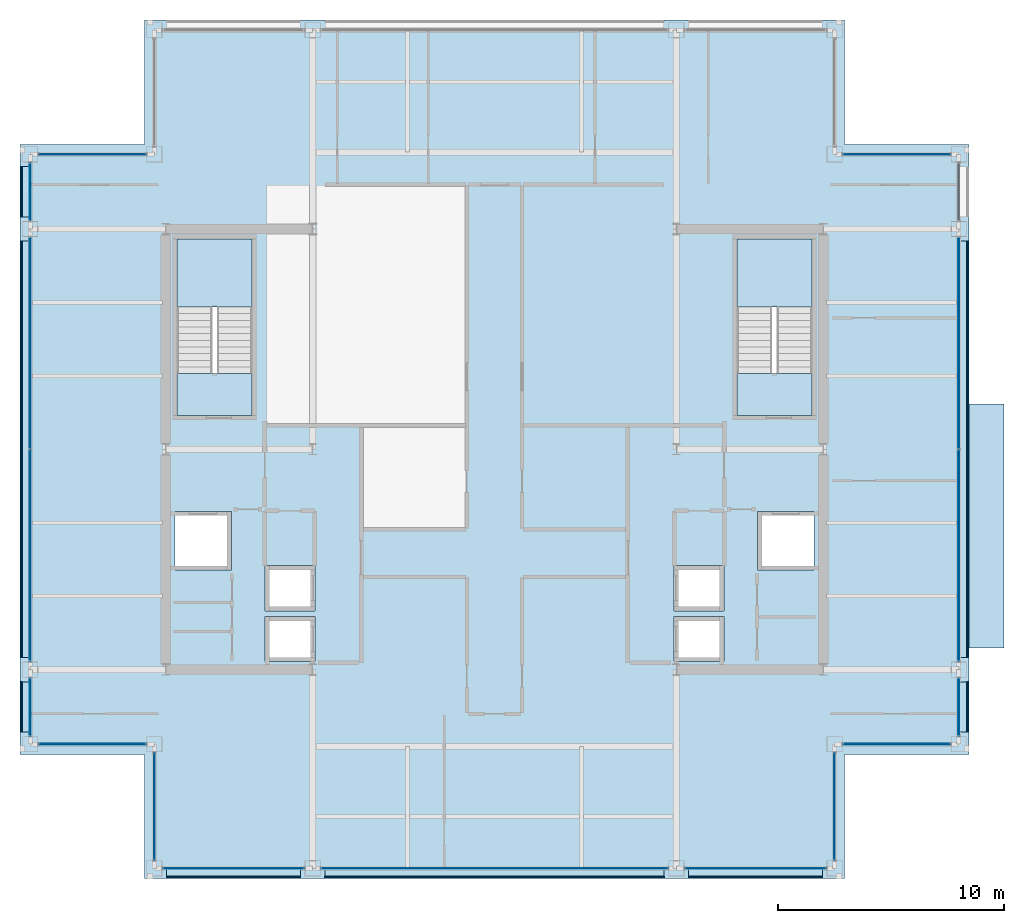
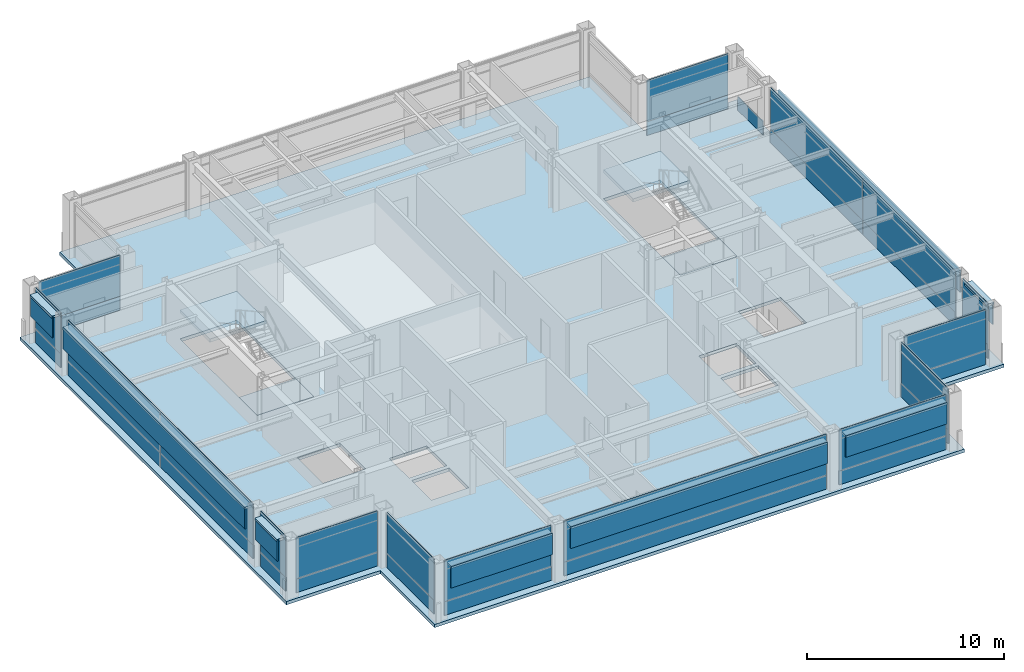
# One storey, part 21 of 26: 49 plates, 6 slabs, 17 elements without a shape of their own.
"""IFC4 building model written with IfcOpenShell, lengths in metres."""

from ifc_helpers import new_model, si_unit, direction, frame, origin, origin_2d, place, context, subcontext, project, spatial, polyline, rectangle, outline, extrude, material, layer, layer_set, type_object, element, aggregate, save


model = new_model("IFC4")

# Units and contexts
model_context = context("Model", 3, precision=1e-05, world=origin(), true_north=direction((0.0, 1.0)))
body_context = subcontext(model_context, "Body", "Model", "MODEL_VIEW")
ifc_project = project(units=[si_unit("LENGTHUNIT", "METRE"), si_unit("AREAUNIT", "SQUARE_METRE"), si_unit("VOLUMEUNIT", "CUBIC_METRE"), si_unit("PLANEANGLEUNIT", "RADIAN"), si_unit("MASSUNIT", "GRAM", prefix="KILO")], contexts=[model_context])

# Site, building, storey
site_placement = place(None, origin())
site = spatial("IfcSite", under=ifc_project, at=site_placement, CompositionType="ELEMENT")
building_placement = place(site_placement, origin())
building = spatial("IfcBuilding", under=site, at=building_placement, Name="Brelmoor Portico Tower", CompositionType="ELEMENT")
storey_placement = place(building_placement, frame((0.0, 0.0, 205.5)))
storey = spatial("IfcBuildingStorey", under=building, at=storey_placement, Name="L54", CompositionType="ELEMENT", Elevation=205.5)

# Curtain wall, plate
ifc_material_1 = material(Name="Anodised Aluminium Alloy 6063-T6", Category="aluminium")
ifc_layer_1 = layer(ifc_material_1, 0.179931640625)
ifc_layer_set_1 = layer_set([ifc_layer_1], Name="Anodised Aluminium Alloy 6063-T6")
curtain_wall_type_1 = type_object("IfcCurtainWallType", Name="CW-TOWER-Z3", PredefinedType="NOTDEFINED", material=ifc_layer_set_1)
curtain_wall_1_placement = place(storey_placement, origin())
curtain_wall_1 = element("IfcCurtainWall", 1, at=curtain_wall_1_placement, inside=storey, type_object=curtain_wall_type_1, Name="L54 Curtain Wall CW-L54-01-1", PredefinedType="NOTDEFINED")
ifc_material_2 = material(Name="Double-Silver Low-E Insulated Glazing", Category="glass")
ifc_layer_2 = layer(ifc_material_2, 0.035888671875)
ifc_layer_set_2 = layer_set([ifc_layer_2], Name="Double-Silver Low-E Insulated Glazing")
plate_type_1 = type_object("IfcPlateType", Name="PT-CW-GLASS", PredefinedType="CURTAIN_PANEL", material=ifc_layer_set_2)
plate_1_placement = place(storey_placement, frame((-11.550048828125, -18.550048828125, 0.85009765625), z_axis=(0.0, 0.0, 1.0), x_axis=(1.0, 0.0, 0.0)))
plate_1 = element("IfcPlate", 2, at=plate_1_placement, type_object=plate_type_1, Name="CW-L54-01-1 Vision Glass Panel 00", PredefinedType="CURTAIN_PANEL", context=body_context, shape_type="SweptSolid", body=[
    extrude(rectangle(XDim=6.25, YDim=0.035888671875, at=origin_2d()), origin(), (0.0, 0.0, 1.0), 2.550048828125),
])

curtain_wall_2_placement = place(storey_placement, origin())
curtain_wall_2 = element("IfcCurtainWall", 3, at=curtain_wall_2_placement, inside=storey, type_object=curtain_wall_type_1, Name="L54 Curtain Wall CW-L54-01-2", PredefinedType="NOTDEFINED")
plate_2_placement = place(storey_placement, frame((0.0, -18.550048828125, 0.85009765625), z_axis=(0.0, 0.0, 1.0), x_axis=(1.0, 0.0, 0.0)))
plate_2 = element("IfcPlate", 4, at=plate_2_placement, type_object=plate_type_1, Name="CW-L54-01-2 Vision Glass Panel 00", PredefinedType="CURTAIN_PANEL", context=body_context, shape_type="SweptSolid", body=[
    extrude(rectangle(XDim=15.35009765625, YDim=0.035888671875, at=origin_2d()), origin(), (0.0, 0.0, 1.0), 2.550048828125),
])

curtain_wall_3_placement = place(storey_placement, origin())
curtain_wall_3 = element("IfcCurtainWall", 5, at=curtain_wall_3_placement, inside=storey, type_object=curtain_wall_type_1, Name="L54 Curtain Wall CW-L54-01-3", PredefinedType="NOTDEFINED")
plate_3_placement = place(storey_placement, frame((11.550048828125, -18.550048828125, 0.85009765625), z_axis=(0.0, 0.0, 1.0), x_axis=(1.0, 0.0, 0.0)))
plate_3 = element("IfcPlate", 6, at=plate_3_placement, type_object=plate_type_1, Name="CW-L54-01-3 Vision Glass Panel 00", PredefinedType="CURTAIN_PANEL", context=body_context, shape_type="SweptSolid", body=[
    extrude(rectangle(XDim=6.25, YDim=0.035888671875, at=origin_2d()), origin(), (0.0, 0.0, 1.0), 2.550048828125),
])

curtain_wall_4_placement = place(storey_placement, origin())
curtain_wall_4 = element("IfcCurtainWall", 7, at=curtain_wall_4_placement, inside=storey, type_object=curtain_wall_type_1, Name="L54 Curtain Wall CW-L54-03-1", PredefinedType="NOTDEFINED")
plate_4_placement = place(storey_placement, frame((-20.550048828125, -11.39990234375, 0.85009765625), z_axis=(0.0, 0.0, 1.0), x_axis=(0.0, 1.0, 0.0)))
plate_4 = element("IfcPlate", 8, at=plate_4_placement, type_object=plate_type_1, Name="CW-L54-03-1 Vision Glass Panel 00", PredefinedType="CURTAIN_PANEL", context=body_context, shape_type="SweptSolid", body=[
    extrude(rectangle(XDim=2.550048828125, YDim=0.035888671875, at=origin_2d()), origin(), (0.0, 0.0, 1.0), 2.550048828125),
])

# Curtain wall, plates
curtain_wall_5_placement = place(storey_placement, origin())
curtain_wall_5 = element("IfcCurtainWall", 9, at=curtain_wall_5_placement, inside=storey, type_object=curtain_wall_type_1, Name="L54 Curtain Wall CW-L54-03-2", PredefinedType="NOTDEFINED")
plate_5_placement = place(storey_placement, frame((-20.550048828125, -4.695068359375, 0.85009765625), z_axis=(0.0, 0.0, 1.0), x_axis=(0.0, 1.0, 0.0)))
plate_5 = element("IfcPlate", 10, at=plate_5_placement, type_object=plate_type_1, Name="CW-L54-03-2 Vision Glass Panel 00", PredefinedType="CURTAIN_PANEL", context=body_context, shape_type="SweptSolid", body=[
    extrude(rectangle(XDim=9.360107421875, YDim=0.035888671875, at=origin_2d()), origin(), (0.0, 0.0, 1.0), 2.550048828125),
])
plate_6_placement = place(storey_placement, frame((-20.550048828125, 4.695068359375, 0.85009765625), z_axis=(0.0, 0.0, 1.0), x_axis=(0.0, 1.0, 0.0)))
plate_6 = element("IfcPlate", 11, at=plate_6_placement, type_object=plate_type_1, Name="CW-L54-03-2 Vision Glass Panel 01", PredefinedType="CURTAIN_PANEL", context=body_context, shape_type="SweptSolid", body=[
    extrude(rectangle(XDim=9.360107421875, YDim=0.035888671875, at=origin_2d()), origin(), (0.0, 0.0, 1.0), 2.550048828125),
])

# Curtain wall, plate
curtain_wall_6_placement = place(storey_placement, origin())
curtain_wall_6 = element("IfcCurtainWall", 12, at=curtain_wall_6_placement, inside=storey, type_object=curtain_wall_type_1, Name="L54 Curtain Wall CW-L54-03-3", PredefinedType="NOTDEFINED")
plate_7_placement = place(storey_placement, frame((-20.550048828125, 11.39990234375, 0.85009765625), z_axis=(0.0, 0.0, 1.0), x_axis=(0.0, 1.0, 0.0)))
plate_7 = element("IfcPlate", 13, at=plate_7_placement, type_object=plate_type_1, Name="CW-L54-03-3 Vision Glass Panel 00", PredefinedType="CURTAIN_PANEL", context=body_context, shape_type="SweptSolid", body=[
    extrude(rectangle(XDim=2.550048828125, YDim=0.035888671875, at=origin_2d()), origin(), (0.0, 0.0, 1.0), 2.550048828125),
])

curtain_wall_7_placement = place(storey_placement, origin())
curtain_wall_7 = element("IfcCurtainWall", 14, at=curtain_wall_7_placement, inside=storey, type_object=curtain_wall_type_1, Name="L54 Curtain Wall CW-L54-04-1", PredefinedType="NOTDEFINED")
plate_8_placement = place(storey_placement, frame((20.550048828125, -11.39990234375, 0.85009765625), z_axis=(0.0, 0.0, 1.0), x_axis=(0.0, 1.0, 0.0)))
plate_8 = element("IfcPlate", 15, at=plate_8_placement, type_object=plate_type_1, Name="CW-L54-04-1 Vision Glass Panel 00", PredefinedType="CURTAIN_PANEL", context=body_context, shape_type="SweptSolid", body=[
    extrude(rectangle(XDim=2.550048828125, YDim=0.035888671875, at=origin_2d()), origin(), (0.0, 0.0, 1.0), 2.550048828125),
])

# Curtain wall, plates
curtain_wall_8_placement = place(storey_placement, origin())
curtain_wall_8 = element("IfcCurtainWall", 16, at=curtain_wall_8_placement, inside=storey, type_object=curtain_wall_type_1, Name="L54 Curtain Wall CW-L54-04-2", PredefinedType="NOTDEFINED")
plate_9_placement = place(storey_placement, frame((20.550048828125, -4.695068359375, 0.85009765625), z_axis=(0.0, 0.0, 1.0), x_axis=(0.0, 1.0, 0.0)))
plate_9 = element("IfcPlate", 17, at=plate_9_placement, type_object=plate_type_1, Name="CW-L54-04-2 Vision Glass Panel 00", PredefinedType="CURTAIN_PANEL", context=body_context, shape_type="SweptSolid", body=[
    extrude(rectangle(XDim=9.360107421875, YDim=0.035888671875, at=origin_2d()), origin(), (0.0, 0.0, 1.0), 2.550048828125),
])
plate_10_placement = place(storey_placement, frame((20.550048828125, 4.695068359375, 0.85009765625), z_axis=(0.0, 0.0, 1.0), x_axis=(0.0, 1.0, 0.0)))
plate_10 = element("IfcPlate", 18, at=plate_10_placement, type_object=plate_type_1, Name="CW-L54-04-2 Vision Glass Panel 01", PredefinedType="CURTAIN_PANEL", context=body_context, shape_type="SweptSolid", body=[
    extrude(rectangle(XDim=9.360107421875, YDim=0.035888671875, at=origin_2d()), origin(), (0.0, 0.0, 1.0), 2.550048828125),
])

# Curtain wall, plate
ifc_layer_3 = layer(ifc_material_1, 0.179931640625)
ifc_layer_set_3 = layer_set([ifc_layer_3], Name="Anodised Aluminium Alloy 6063-T6")
curtain_wall_type_2 = type_object("IfcCurtainWallType", Name="CW-NOTCH-CHAMFER", PredefinedType="NOTDEFINED", material=ifc_layer_set_3)
curtain_wall_9_placement = place(storey_placement, origin())
curtain_wall_9 = element("IfcCurtainWall", 19, at=curtain_wall_9_placement, inside=storey, type_object=curtain_wall_type_2, Name="L54 Curtain Wall CWN-L54-SWH", PredefinedType="NOTDEFINED")
plate_11_placement = place(storey_placement, frame((-17.800048828125, -13.050048828125, 0.85009765625), z_axis=(0.0, 0.0, 1.0), x_axis=(1.0, 0.0, 0.0)))
plate_11 = element("IfcPlate", 20, at=plate_11_placement, type_object=plate_type_1, Name="CWN-L54-SWH Vision Glass Panel 00", PredefinedType="CURTAIN_PANEL", context=body_context, shape_type="SweptSolid", body=[
    extrude(rectangle(XDim=4.75, YDim=0.035888671875, at=origin_2d()), origin(), (0.0, 0.0, 1.0), 2.550048828125),
])

curtain_wall_10_placement = place(storey_placement, origin())
curtain_wall_10 = element("IfcCurtainWall", 21, at=curtain_wall_10_placement, inside=storey, type_object=curtain_wall_type_2, Name="L54 Curtain Wall CWN-L54-SWV", PredefinedType="NOTDEFINED")
plate_12_placement = place(storey_placement, frame((-15.050048828125, -15.800048828125, 0.85009765625), z_axis=(0.0, 0.0, 1.0), x_axis=(0.0, 1.0, 0.0)))
plate_12 = element("IfcPlate", 22, at=plate_12_placement, type_object=plate_type_1, Name="CWN-L54-SWV Vision Glass Panel 00", PredefinedType="CURTAIN_PANEL", context=body_context, shape_type="SweptSolid", body=[
    extrude(rectangle(XDim=4.75, YDim=0.035888671875, at=origin_2d()), origin(), (0.0, 0.0, 1.0), 2.550048828125),
])

curtain_wall_11_placement = place(storey_placement, origin())
curtain_wall_11 = element("IfcCurtainWall", 23, at=curtain_wall_11_placement, inside=storey, type_object=curtain_wall_type_2, Name="L54 Curtain Wall CWN-L54-SEH", PredefinedType="NOTDEFINED")
plate_13_placement = place(storey_placement, frame((17.800048828125, -13.050048828125, 0.85009765625), z_axis=(0.0, 0.0, 1.0), x_axis=(1.0, 0.0, 0.0)))
plate_13 = element("IfcPlate", 24, at=plate_13_placement, type_object=plate_type_1, Name="CWN-L54-SEH Vision Glass Panel 00", PredefinedType="CURTAIN_PANEL", context=body_context, shape_type="SweptSolid", body=[
    extrude(rectangle(XDim=4.75, YDim=0.035888671875, at=origin_2d()), origin(), (0.0, 0.0, 1.0), 2.550048828125),
])

curtain_wall_12_placement = place(storey_placement, origin())
curtain_wall_12 = element("IfcCurtainWall", 25, at=curtain_wall_12_placement, inside=storey, type_object=curtain_wall_type_2, Name="L54 Curtain Wall CWN-L54-SEV", PredefinedType="NOTDEFINED")
plate_14_placement = place(storey_placement, frame((15.050048828125, -15.800048828125, 0.85009765625), z_axis=(0.0, 0.0, 1.0), x_axis=(0.0, 1.0, 0.0)))
plate_14 = element("IfcPlate", 26, at=plate_14_placement, type_object=plate_type_1, Name="CWN-L54-SEV Vision Glass Panel 00", PredefinedType="CURTAIN_PANEL", context=body_context, shape_type="SweptSolid", body=[
    extrude(rectangle(XDim=4.75, YDim=0.035888671875, at=origin_2d()), origin(), (0.0, 0.0, 1.0), 2.550048828125),
])

curtain_wall_13_placement = place(storey_placement, origin())
curtain_wall_13 = element("IfcCurtainWall", 27, at=curtain_wall_13_placement, inside=storey, type_object=curtain_wall_type_2, Name="L54 Curtain Wall CWN-L54-NWH", PredefinedType="NOTDEFINED")
plate_15_placement = place(storey_placement, frame((-17.800048828125, 13.050048828125, 0.85009765625), z_axis=(0.0, 0.0, 1.0), x_axis=(1.0, 0.0, 0.0)))
plate_15 = element("IfcPlate", 28, at=plate_15_placement, type_object=plate_type_1, Name="CWN-L54-NWH Vision Glass Panel 00", PredefinedType="CURTAIN_PANEL", context=body_context, shape_type="SweptSolid", body=[
    extrude(rectangle(XDim=4.75, YDim=0.035888671875, at=origin_2d()), origin(), (0.0, 0.0, 1.0), 2.550048828125),
])

curtain_wall_14_placement = place(storey_placement, origin())
curtain_wall_14 = element("IfcCurtainWall", 29, at=curtain_wall_14_placement, inside=storey, type_object=curtain_wall_type_2, Name="L54 Curtain Wall CWN-L54-NEH", PredefinedType="NOTDEFINED")
plate_16_placement = place(storey_placement, frame((17.800048828125, 13.050048828125, 0.85009765625), z_axis=(0.0, 0.0, 1.0), x_axis=(1.0, 0.0, 0.0)))
plate_16 = element("IfcPlate", 30, at=plate_16_placement, type_object=plate_type_1, Name="CWN-L54-NEH Vision Glass Panel 00", PredefinedType="CURTAIN_PANEL", context=body_context, shape_type="SweptSolid", body=[
    extrude(rectangle(XDim=4.75, YDim=0.035888671875, at=origin_2d()), origin(), (0.0, 0.0, 1.0), 2.550048828125),
])

# Plate
ifc_material_3 = material(Name="Pale Champagne Anodised Aluminium Panel", Category="aluminium")
ifc_layer_4 = layer(ifc_material_3, 0.050048828125)
ifc_layer_set_4 = layer_set([ifc_layer_4], Name="Pale Champagne Anodised Aluminium Panel")
plate_type_2 = type_object("IfcPlateType", Name="PT-CW-SPANDREL", PredefinedType="SHEET", material=ifc_layer_set_4)
plate_17_placement = place(storey_placement, frame((-11.550048828125, -18.550048828125, 0.0), z_axis=(0.0, 0.0, 1.0), x_axis=(1.0, 0.0, 0.0)))
plate_17 = element("IfcPlate", 31, at=plate_17_placement, type_object=plate_type_2, Name="CW-L54-01-1 Spandrel Panel 00", PredefinedType="SHEET", context=body_context, shape_type="SweptSolid", body=[
    extrude(rectangle(XDim=6.25, YDim=0.050048828125, at=origin_2d()), origin(), (0.0, 0.0, 1.0), 0.85009765625),
])

aggregate(curtain_wall_1, [plate_17, plate_1])

plate_18_placement = place(storey_placement, frame((0.0, -18.550048828125, 0.0), z_axis=(0.0, 0.0, 1.0), x_axis=(1.0, 0.0, 0.0)))
plate_18 = element("IfcPlate", 32, at=plate_18_placement, type_object=plate_type_2, Name="CW-L54-01-2 Spandrel Panel 00", PredefinedType="SHEET", context=body_context, shape_type="SweptSolid", body=[
    extrude(rectangle(XDim=15.35009765625, YDim=0.050048828125, at=origin_2d()), origin(), (0.0, 0.0, 1.0), 0.85009765625),
])

aggregate(curtain_wall_2, [plate_18, plate_2])

plate_19_placement = place(storey_placement, frame((11.550048828125, -18.550048828125, 0.0), z_axis=(0.0, 0.0, 1.0), x_axis=(1.0, 0.0, 0.0)))
plate_19 = element("IfcPlate", 33, at=plate_19_placement, type_object=plate_type_2, Name="CW-L54-01-3 Spandrel Panel 00", PredefinedType="SHEET", context=body_context, shape_type="SweptSolid", body=[
    extrude(rectangle(XDim=6.25, YDim=0.050048828125, at=origin_2d()), origin(), (0.0, 0.0, 1.0), 0.85009765625),
])

aggregate(curtain_wall_3, [plate_19, plate_3])

plate_20_placement = place(storey_placement, frame((-20.550048828125, -11.39990234375, 0.0), z_axis=(0.0, 0.0, 1.0), x_axis=(0.0, 1.0, 0.0)))
plate_20 = element("IfcPlate", 34, at=plate_20_placement, type_object=plate_type_2, Name="CW-L54-03-1 Spandrel Panel 00", PredefinedType="SHEET", context=body_context, shape_type="SweptSolid", body=[
    extrude(rectangle(XDim=2.550048828125, YDim=0.050048828125, at=origin_2d()), origin(), (0.0, 0.0, 1.0), 0.85009765625),
])

aggregate(curtain_wall_4, [plate_20, plate_4])

plate_21_placement = place(storey_placement, frame((-20.550048828125, -4.695068359375, 0.0), z_axis=(0.0, 0.0, 1.0), x_axis=(0.0, 1.0, 0.0)))
plate_21 = element("IfcPlate", 35, at=plate_21_placement, type_object=plate_type_2, Name="CW-L54-03-2 Spandrel Panel 00", PredefinedType="SHEET", context=body_context, shape_type="SweptSolid", body=[
    extrude(rectangle(XDim=9.360107421875, YDim=0.050048828125, at=origin_2d()), origin(), (0.0, 0.0, 1.0), 0.85009765625),
])

plate_22_placement = place(storey_placement, frame((-20.550048828125, 4.695068359375, 0.0), z_axis=(0.0, 0.0, 1.0), x_axis=(0.0, 1.0, 0.0)))
plate_22 = element("IfcPlate", 36, at=plate_22_placement, type_object=plate_type_2, Name="CW-L54-03-2 Spandrel Panel 01", PredefinedType="SHEET", context=body_context, shape_type="SweptSolid", body=[
    extrude(rectangle(XDim=9.360107421875, YDim=0.050048828125, at=origin_2d()), origin(), (0.0, 0.0, 1.0), 0.85009765625),
])

aggregate(curtain_wall_5, [plate_21, plate_5, plate_22, plate_6])

plate_23_placement = place(storey_placement, frame((-20.550048828125, 11.39990234375, 0.0), z_axis=(0.0, 0.0, 1.0), x_axis=(0.0, 1.0, 0.0)))
plate_23 = element("IfcPlate", 37, at=plate_23_placement, type_object=plate_type_2, Name="CW-L54-03-3 Spandrel Panel 00", PredefinedType="SHEET", context=body_context, shape_type="SweptSolid", body=[
    extrude(rectangle(XDim=2.550048828125, YDim=0.050048828125, at=origin_2d()), origin(), (0.0, 0.0, 1.0), 0.85009765625),
])

aggregate(curtain_wall_6, [plate_23, plate_7])

plate_24_placement = place(storey_placement, frame((20.550048828125, -11.39990234375, 0.0), z_axis=(0.0, 0.0, 1.0), x_axis=(0.0, 1.0, 0.0)))
plate_24 = element("IfcPlate", 38, at=plate_24_placement, type_object=plate_type_2, Name="CW-L54-04-1 Spandrel Panel 00", PredefinedType="SHEET", context=body_context, shape_type="SweptSolid", body=[
    extrude(rectangle(XDim=2.550048828125, YDim=0.050048828125, at=origin_2d()), origin(), (0.0, 0.0, 1.0), 0.85009765625),
])

aggregate(curtain_wall_7, [plate_24, plate_8])

plate_25_placement = place(storey_placement, frame((20.550048828125, -4.695068359375, 0.0), z_axis=(0.0, 0.0, 1.0), x_axis=(0.0, 1.0, 0.0)))
plate_25 = element("IfcPlate", 39, at=plate_25_placement, type_object=plate_type_2, Name="CW-L54-04-2 Spandrel Panel 00", PredefinedType="SHEET", context=body_context, shape_type="SweptSolid", body=[
    extrude(rectangle(XDim=9.360107421875, YDim=0.050048828125, at=origin_2d()), origin(), (0.0, 0.0, 1.0), 0.85009765625),
])

plate_26_placement = place(storey_placement, frame((20.550048828125, 4.695068359375, 0.0), z_axis=(0.0, 0.0, 1.0), x_axis=(0.0, 1.0, 0.0)))
plate_26 = element("IfcPlate", 40, at=plate_26_placement, type_object=plate_type_2, Name="CW-L54-04-2 Spandrel Panel 01", PredefinedType="SHEET", context=body_context, shape_type="SweptSolid", body=[
    extrude(rectangle(XDim=9.360107421875, YDim=0.050048828125, at=origin_2d()), origin(), (0.0, 0.0, 1.0), 0.85009765625),
])

aggregate(curtain_wall_8, [plate_25, plate_9, plate_26, plate_10])

# Curtain wall, plate
curtain_wall_15_placement = place(storey_placement, origin())
curtain_wall_15 = element("IfcCurtainWall", 41, at=curtain_wall_15_placement, inside=storey, type_object=curtain_wall_type_1, Name="L54 Curtain Wall CW-L54-04-3", PredefinedType="NOTDEFINED")
plate_27_placement = place(storey_placement, frame((20.550048828125, 11.39990234375, 0.0), z_axis=(0.0, 0.0, 1.0), x_axis=(0.0, 1.0, 0.0)))
plate_27 = element("IfcPlate", 42, at=plate_27_placement, type_object=plate_type_2, Name="CW-L54-04-3 Spandrel Panel 00", PredefinedType="SHEET", context=body_context, shape_type="SweptSolid", body=[
    extrude(rectangle(XDim=2.550048828125, YDim=0.050048828125, at=origin_2d()), origin(), (0.0, 0.0, 1.0), 0.85009765625),
])
aggregate(curtain_wall_15, [plate_27])

# Plate
plate_28_placement = place(storey_placement, frame((-17.800048828125, -13.050048828125, 0.0), z_axis=(0.0, 0.0, 1.0), x_axis=(1.0, 0.0, 0.0)))
plate_28 = element("IfcPlate", 43, at=plate_28_placement, type_object=plate_type_2, Name="CWN-L54-SWH Spandrel Panel 00", PredefinedType="SHEET", context=body_context, shape_type="SweptSolid", body=[
    extrude(rectangle(XDim=4.75, YDim=0.050048828125, at=origin_2d()), origin(), (0.0, 0.0, 1.0), 0.85009765625),
])

aggregate(curtain_wall_9, [plate_28, plate_11])

plate_29_placement = place(storey_placement, frame((-15.050048828125, -15.800048828125, 0.0), z_axis=(0.0, 0.0, 1.0), x_axis=(0.0, 1.0, 0.0)))
plate_29 = element("IfcPlate", 44, at=plate_29_placement, type_object=plate_type_2, Name="CWN-L54-SWV Spandrel Panel 00", PredefinedType="SHEET", context=body_context, shape_type="SweptSolid", body=[
    extrude(rectangle(XDim=4.75, YDim=0.050048828125, at=origin_2d()), origin(), (0.0, 0.0, 1.0), 0.85009765625),
])

aggregate(curtain_wall_10, [plate_29, plate_12])

plate_30_placement = place(storey_placement, frame((17.800048828125, -13.050048828125, 0.0), z_axis=(0.0, 0.0, 1.0), x_axis=(1.0, 0.0, 0.0)))
plate_30 = element("IfcPlate", 45, at=plate_30_placement, type_object=plate_type_2, Name="CWN-L54-SEH Spandrel Panel 00", PredefinedType="SHEET", context=body_context, shape_type="SweptSolid", body=[
    extrude(rectangle(XDim=4.75, YDim=0.050048828125, at=origin_2d()), origin(), (0.0, 0.0, 1.0), 0.85009765625),
])

aggregate(curtain_wall_11, [plate_30, plate_13])

plate_31_placement = place(storey_placement, frame((15.050048828125, -15.800048828125, 0.0), z_axis=(0.0, 0.0, 1.0), x_axis=(0.0, 1.0, 0.0)))
plate_31 = element("IfcPlate", 46, at=plate_31_placement, type_object=plate_type_2, Name="CWN-L54-SEV Spandrel Panel 00", PredefinedType="SHEET", context=body_context, shape_type="SweptSolid", body=[
    extrude(rectangle(XDim=4.75, YDim=0.050048828125, at=origin_2d()), origin(), (0.0, 0.0, 1.0), 0.85009765625),
])

aggregate(curtain_wall_12, [plate_31, plate_14])

plate_32_placement = place(storey_placement, frame((-17.800048828125, 13.050048828125, 0.0), z_axis=(0.0, 0.0, 1.0), x_axis=(1.0, 0.0, 0.0)))
plate_32 = element("IfcPlate", 47, at=plate_32_placement, type_object=plate_type_2, Name="CWN-L54-NWH Spandrel Panel 00", PredefinedType="SHEET", context=body_context, shape_type="SweptSolid", body=[
    extrude(rectangle(XDim=4.75, YDim=0.050048828125, at=origin_2d()), origin(), (0.0, 0.0, 1.0), 0.85009765625),
])

aggregate(curtain_wall_13, [plate_32, plate_15])

plate_33_placement = place(storey_placement, frame((17.800048828125, 13.050048828125, 0.0), z_axis=(0.0, 0.0, 1.0), x_axis=(1.0, 0.0, 0.0)))
plate_33 = element("IfcPlate", 48, at=plate_33_placement, type_object=plate_type_2, Name="CWN-L54-NEH Spandrel Panel 00", PredefinedType="SHEET", context=body_context, shape_type="SweptSolid", body=[
    extrude(rectangle(XDim=4.75, YDim=0.050048828125, at=origin_2d()), origin(), (0.0, 0.0, 1.0), 0.85009765625),
])

aggregate(curtain_wall_14, [plate_33, plate_16])

# Plates
ifc_material_4 = material(Name="Powder-Coated Aluminium Shuttered Jalousie Louvre", Category="aluminium")
ifc_layer_5 = layer(ifc_material_4, 0.06005859375)
ifc_layer_set_5 = layer_set([ifc_layer_5], Name="Powder-Coated Aluminium Shuttered Jalousie Louvre")
plate_type_3 = type_object("IfcPlateType", Name="PT-JALOUSIE-SHUTTER", PredefinedType="SHEET", material=ifc_layer_set_5)
plate_34_placement = place(storey_placement, frame((-11.550048828125, -18.929931640625, 1.8740234375), z_axis=(0.0, 0.0, 1.0), x_axis=(1.0, 0.0, 0.0)))
element("IfcPlate", 49, at=plate_34_placement, inside=storey, type_object=plate_type_3, Name="CW-L54-01-1 Perforated Jalousie Solar Screen", PredefinedType="SHEET", context=body_context, shape_type="SweptSolid", body=[
    extrude(rectangle(XDim=5.919921875, YDim=0.06494140625, at=origin_2d()), origin(), (0.0, 0.0, 1.0), 1.325927734375),
])
plate_35_placement = place(storey_placement, frame((0.0, -18.929931640625, 1.8740234375), z_axis=(0.0, 0.0, 1.0), x_axis=(1.0, 0.0, 0.0)))
element("IfcPlate", 50, at=plate_35_placement, inside=storey, type_object=plate_type_3, Name="CW-L54-01-2 Perforated Jalousie Solar Screen", PredefinedType="SHEET", context=body_context, shape_type="SweptSolid", body=[
    extrude(rectangle(XDim=15.02001953125, YDim=0.06494140625, at=origin_2d()), origin(), (0.0, 0.0, 1.0), 1.325927734375),
])
plate_36_placement = place(storey_placement, frame((11.550048828125, -18.929931640625, 1.8740234375), z_axis=(0.0, 0.0, 1.0), x_axis=(1.0, 0.0, 0.0)))
element("IfcPlate", 51, at=plate_36_placement, inside=storey, type_object=plate_type_3, Name="CW-L54-01-3 Perforated Jalousie Solar Screen", PredefinedType="SHEET", context=body_context, shape_type="SweptSolid", body=[
    extrude(rectangle(XDim=5.919921875, YDim=0.06494140625, at=origin_2d()), origin(), (0.0, 0.0, 1.0), 1.325927734375),
])
plate_37_placement = place(storey_placement, frame((-20.929931640625, -11.39990234375, 1.8740234375), z_axis=(0.0, 0.0, 1.0), x_axis=(0.0, 1.0, 0.0)))
element("IfcPlate", 52, at=plate_37_placement, inside=storey, type_object=plate_type_3, Name="CW-L54-03-1 Perforated Jalousie Solar Screen", PredefinedType="SHEET", context=body_context, shape_type="SweptSolid", body=[
    extrude(rectangle(XDim=2.219970703125, YDim=0.06494140625, at=origin_2d()), origin(), (0.0, 0.0, 1.0), 1.325927734375),
])
plate_38_placement = place(storey_placement, frame((-20.929931640625, 0.0, 1.8740234375), z_axis=(0.0, 0.0, 1.0), x_axis=(0.0, 1.0, 0.0)))
element("IfcPlate", 53, at=plate_38_placement, inside=storey, type_object=plate_type_3, Name="CW-L54-03-2 Perforated Jalousie Solar Screen", PredefinedType="SHEET", context=body_context, shape_type="SweptSolid", body=[
    extrude(rectangle(XDim=18.419921875, YDim=0.06494140625, at=origin_2d()), origin(), (0.0, 0.0, 1.0), 1.325927734375),
])
for number, where, z_axis, x_axis, name in (
    (54, (-20.929931640625, 11.39990234375, 1.8740234375), (0.0, 0.0, 1.0), (0.0, 1.0, 0.0), "CW-L54-03-3 Perforated Jalousie Solar Screen"),
    (55, (20.929931640625, -11.39990234375, 1.8740234375), (0.0, 0.0, 1.0), (0.0, 1.0, 0.0), "CW-L54-04-1 Perforated Jalousie Solar Screen"),
):
    element("IfcPlate", number, at=place(storey_placement, frame(where, z_axis=z_axis, x_axis=x_axis)), inside=storey, type_object=plate_type_3, Name=name, PredefinedType="SHEET", context=body_context, shape_type="SweptSolid", body=[
        extrude(rectangle(XDim=2.219970703125, YDim=0.06494140625, at=origin_2d()), origin(), (0.0, 0.0, 1.0), 1.325927734375),
    ])
plate_39_placement = place(storey_placement, frame((20.929931640625, 0.0, 1.8740234375), z_axis=(0.0, 0.0, 1.0), x_axis=(0.0, 1.0, 0.0)))
element("IfcPlate", 56, at=plate_39_placement, inside=storey, type_object=plate_type_3, Name="CW-L54-04-2 Perforated Jalousie Solar Screen", PredefinedType="SHEET", context=body_context, shape_type="SweptSolid", body=[
    extrude(rectangle(XDim=18.419921875, YDim=0.06494140625, at=origin_2d()), origin(), (0.0, 0.0, 1.0), 1.325927734375),
])
ifc_material_5 = material(Name="Pale Champagne Perforated Aluminium Solar Screen", Category="aluminium")
ifc_layer_6 = layer(ifc_material_5, 0.054931640625)
ifc_layer_set_6 = layer_set([ifc_layer_6], Name="Pale Champagne Perforated Aluminium Solar Screen")
plate_type_4 = type_object("IfcPlateType", Name="PT-SOLAR-LOUVRE", PredefinedType="SHEET", material=ifc_layer_set_6)
plate_40_placement = place(storey_placement, frame((-11.550048828125, -18.760009765625, 3.08984375), z_axis=(0.0, 0.0, 1.0), x_axis=(1.0, 0.0, 0.0)))
element("IfcPlate", 57, at=plate_40_placement, inside=storey, type_object=plate_type_4, Name="CW-L54-01-1 Caribbean Brise-Soleil Solar Screen", PredefinedType="SHEET", context=body_context, shape_type="SweptSolid", body=[
    extrude(rectangle(XDim=5.919921875, YDim=0.4599609375, at=origin_2d()), origin(), (0.0, 0.0, 1.0), 0.139892578125),
])
plate_41_placement = place(storey_placement, frame((0.0, -18.760009765625, 3.08984375), z_axis=(0.0, 0.0, 1.0), x_axis=(1.0, 0.0, 0.0)))
element("IfcPlate", 58, at=plate_41_placement, inside=storey, type_object=plate_type_4, Name="CW-L54-01-2 Caribbean Brise-Soleil Solar Screen", PredefinedType="SHEET", context=body_context, shape_type="SweptSolid", body=[
    extrude(rectangle(XDim=15.02001953125, YDim=0.4599609375, at=origin_2d()), origin(), (0.0, 0.0, 1.0), 0.139892578125),
])
plate_42_placement = place(storey_placement, frame((11.550048828125, -18.760009765625, 3.08984375), z_axis=(0.0, 0.0, 1.0), x_axis=(1.0, 0.0, 0.0)))
element("IfcPlate", 59, at=plate_42_placement, inside=storey, type_object=plate_type_4, Name="CW-L54-01-3 Caribbean Brise-Soleil Solar Screen", PredefinedType="SHEET", context=body_context, shape_type="SweptSolid", body=[
    extrude(rectangle(XDim=5.919921875, YDim=0.4599609375, at=origin_2d()), origin(), (0.0, 0.0, 1.0), 0.139892578125),
])
plate_43_placement = place(storey_placement, frame((-20.760009765625, -11.39990234375, 3.08984375), z_axis=(0.0, 0.0, 1.0), x_axis=(0.0, 1.0, 0.0)))
element("IfcPlate", 60, at=plate_43_placement, inside=storey, type_object=plate_type_4, Name="CW-L54-03-1 Caribbean Brise-Soleil Solar Screen", PredefinedType="SHEET", context=body_context, shape_type="SweptSolid", body=[
    extrude(rectangle(XDim=2.219970703125, YDim=0.4599609375, at=origin_2d()), origin(), (0.0, 0.0, 1.0), 0.139892578125),
])
plate_44_placement = place(storey_placement, frame((-20.760009765625, 0.0, 3.08984375), z_axis=(0.0, 0.0, 1.0), x_axis=(0.0, 1.0, 0.0)))
element("IfcPlate", 61, at=plate_44_placement, inside=storey, type_object=plate_type_4, Name="CW-L54-03-2 Caribbean Brise-Soleil Solar Screen", PredefinedType="SHEET", context=body_context, shape_type="SweptSolid", body=[
    extrude(rectangle(XDim=18.419921875, YDim=0.4599609375, at=origin_2d()), origin(), (0.0, 0.0, 1.0), 0.139892578125),
])
for number, where, z_axis, x_axis, name in (
    (62, (-20.760009765625, 11.39990234375, 3.08984375), (0.0, 0.0, 1.0), (0.0, 1.0, 0.0), "CW-L54-03-3 Caribbean Brise-Soleil Solar Screen"),
    (63, (20.760009765625, -11.39990234375, 3.08984375), (0.0, 0.0, 1.0), (0.0, 1.0, 0.0), "CW-L54-04-1 Caribbean Brise-Soleil Solar Screen"),
):
    element("IfcPlate", number, at=place(storey_placement, frame(where, z_axis=z_axis, x_axis=x_axis)), inside=storey, type_object=plate_type_4, Name=name, PredefinedType="SHEET", context=body_context, shape_type="SweptSolid", body=[
        extrude(rectangle(XDim=2.219970703125, YDim=0.4599609375, at=origin_2d()), origin(), (0.0, 0.0, 1.0), 0.139892578125),
    ])
plate_45_placement = place(storey_placement, frame((20.760009765625, 0.0, 3.08984375), z_axis=(0.0, 0.0, 1.0), x_axis=(0.0, 1.0, 0.0)))
element("IfcPlate", 64, at=plate_45_placement, inside=storey, type_object=plate_type_4, Name="CW-L54-04-2 Caribbean Brise-Soleil Solar Screen", PredefinedType="SHEET", context=body_context, shape_type="SweptSolid", body=[
    extrude(rectangle(XDim=18.419921875, YDim=0.4599609375, at=origin_2d()), origin(), (0.0, 0.0, 1.0), 0.139892578125),
])

# Slab
ifc_material_6 = material(Name="Concrete C40", Category="concrete")
ifc_layer_7 = layer(ifc_material_6, 0.199951171875)
ifc_layer_set_7 = layer_set([ifc_layer_7], Name="Concrete C40")
slab_type_1 = type_object("IfcSlabType", Name="SL-FLOOR-200", PredefinedType="FLOOR", material=ifc_layer_set_7)
slab_1_placement = place(storey_placement, frame((0.0, 0.0, -0.199951171875)))
element("IfcSlab", 65, at=slab_1_placement, inside=storey, type_object=slab_type_1, Name="L54 Main Structural Floor Slab", PredefinedType="FLOOR", context=body_context, shape_type="SweptSolid", body=[
    extrude(outline(polyline([(-15.5, -19.0), (15.5, -19.0), (15.5, -13.5), (21.0, -13.5), (21.0, 13.5), (15.5, 13.5), (15.5, 19.0), (-15.5, 19.0), (-15.5, 13.5), (-21.0, 13.5), (-21.0, -13.5), (-15.5, -13.5), (-15.5, -19.0)]), holes=[polyline([(-10.72998046875, 1.5), (-10.72998046875, 9.300048828125), (-14.050048828125, 9.300048828125), (-14.050048828125, 1.5), (-10.72998046875, 1.5)]), polyline([(14.050048828125, 1.5), (14.050048828125, 9.300048828125), (10.72998046875, 9.300048828125), (10.72998046875, 1.5), (14.050048828125, 1.5)]), polyline([(-10.14990234375, -9.39990234375), (-7.949951171875, -9.39990234375), (-7.949951171875, -7.39990234375), (-10.14990234375, -7.39990234375), (-10.14990234375, -9.39990234375)]), polyline([(-10.14990234375, -7.14990234375), (-7.949951171875, -7.14990234375), (-7.949951171875, -5.14990234375), (-10.14990234375, -5.14990234375), (-10.14990234375, -7.14990234375)]), polyline([(7.949951171875, -9.39990234375), (10.14990234375, -9.39990234375), (10.14990234375, -7.39990234375), (7.949951171875, -7.39990234375), (7.949951171875, -9.39990234375)]), polyline([(7.949951171875, -7.14990234375), (10.14990234375, -7.14990234375), (10.14990234375, -5.14990234375), (7.949951171875, -5.14990234375), (7.949951171875, -7.14990234375)]), polyline([(-14.14990234375, -5.35009765625), (-11.64990234375, -5.35009765625), (-11.64990234375, -2.75), (-14.14990234375, -2.75), (-14.14990234375, -5.35009765625)]), polyline([(11.64990234375, -5.35009765625), (14.14990234375, -5.35009765625), (14.14990234375, -2.75), (11.64990234375, -2.75), (11.64990234375, -5.35009765625)])]), origin(), (0.0, 0.0, 1.0), 0.199951171875),
])

# Stair, slab
stair_type_1 = type_object("IfcStairType", Name="ST-CORE-W", PredefinedType="HALF_TURN_STAIR", material=ifc_material_6)
stair_1_placement = place(storey_placement, origin())
stair_1 = element("IfcStair", 66, at=stair_1_placement, inside=storey, type_object=stair_type_1, Name="L54 Protected Core Exit Stair ST-W", PredefinedType="HALF_TURN_STAIR")
ifc_layer_8 = layer(ifc_material_6, 0.179931640625)
ifc_layer_set_8 = layer_set([ifc_layer_8], Name="Concrete C40")
slab_type_2 = type_object("IfcSlabType", Name="SL-LANDING-180", PredefinedType="LANDING", material=ifc_layer_set_8)
slab_2_placement = place(storey_placement, frame((0.0, 0.0, 1.60009765625)))
slab_2 = element("IfcSlab", 67, at=slab_2_placement, type_object=slab_type_2, Name="ST-W landing 1", PredefinedType="LANDING", context=body_context, shape_type="SweptSolid", body=[
    extrude(outline(polyline([(-10.72998046875, 6.300048828125), (-10.72998046875, 9.300048828125), (-14.050048828125, 9.300048828125), (-14.050048828125, 6.300048828125), (-10.72998046875, 6.300048828125)])), origin(), (0.0, 0.0, 1.0), 0.199951171875),
])
aggregate(stair_1, [slab_2])

stair_type_2 = type_object("IfcStairType", Name="ST-CORE-E", PredefinedType="HALF_TURN_STAIR", material=ifc_material_6)
stair_2_placement = place(storey_placement, origin())
stair_2 = element("IfcStair", 68, at=stair_2_placement, inside=storey, type_object=stair_type_2, Name="L54 Protected Core Exit Stair ST-E", PredefinedType="HALF_TURN_STAIR")
slab_3_placement = place(storey_placement, frame((0.0, 0.0, 1.60009765625)))
slab_3 = element("IfcSlab", 69, at=slab_3_placement, type_object=slab_type_2, Name="ST-E landing 1", PredefinedType="LANDING", context=body_context, shape_type="SweptSolid", body=[
    extrude(outline(polyline([(14.050048828125, 6.300048828125), (14.050048828125, 9.300048828125), (10.72998046875, 9.300048828125), (10.72998046875, 6.300048828125), (14.050048828125, 6.300048828125)])), origin(), (0.0, 0.0, 1.0), 0.199951171875),
])
aggregate(stair_2, [slab_3])

# Slabs
ifc_layer_9 = layer(ifc_material_6, 0.199951171875)
ifc_layer_set_9 = layer_set([ifc_layer_9], Name="Concrete C40")
slab_type_3 = type_object("IfcSlabType", Name="SL-ROOF-200", PredefinedType="ROOF", material=ifc_layer_set_9)
slab_4_placement = place(storey_placement, frame((0.0, 0.0, -0.199951171875)))
element("IfcSlab", 70, at=slab_4_placement, inside=storey, type_object=slab_type_3, Name="L54 Picture-Frame Top Hood Slab E", PredefinedType="ROOF", context=body_context, shape_type="SweptSolid", body=[
    extrude(outline(polyline([(21.0, -8.800048828125), (22.550048828125, -8.800048828125), (22.550048828125, 2.0), (21.0, 2.0), (21.0, -8.800048828125)])), origin(), (0.0, 0.0, 1.0), 0.199951171875),
])
ifc_layer_10 = layer(ifc_material_6, 0.199951171875)
ifc_layer_set_10 = layer_set([ifc_layer_10], Name="Concrete C40")
slab_type_4 = type_object("IfcSlabType", Name="SL-STAIR-FL200", PredefinedType="LANDING", material=ifc_layer_set_10)
slab_5_placement = place(storey_placement, frame((0.0, 0.0, -0.199951171875)))
element("IfcSlab", 71, at=slab_5_placement, inside=storey, type_object=slab_type_4, Name="L54 ST-W Structural Floor Landing Slab", PredefinedType="LANDING", context=body_context, shape_type="SweptSolid", body=[
    extrude(outline(polyline([(-10.72998046875, 1.5), (-10.72998046875, 3.35009765625), (-14.050048828125, 3.35009765625), (-14.050048828125, 1.5), (-10.72998046875, 1.5)])), origin(), (0.0, 0.0, 1.0), 0.199951171875),
])
slab_6_placement = place(storey_placement, frame((0.0, 0.0, -0.199951171875)))
element("IfcSlab", 72, at=slab_6_placement, inside=storey, type_object=slab_type_4, Name="L54 ST-E Structural Floor Landing Slab", PredefinedType="LANDING", context=body_context, shape_type="SweptSolid", body=[
    extrude(outline(polyline([(14.050048828125, 1.5), (14.050048828125, 3.35009765625), (10.72998046875, 3.35009765625), (10.72998046875, 1.5), (14.050048828125, 1.5)])), origin(), (0.0, 0.0, 1.0), 0.199951171875),
])

save(model, "model.ifc")
